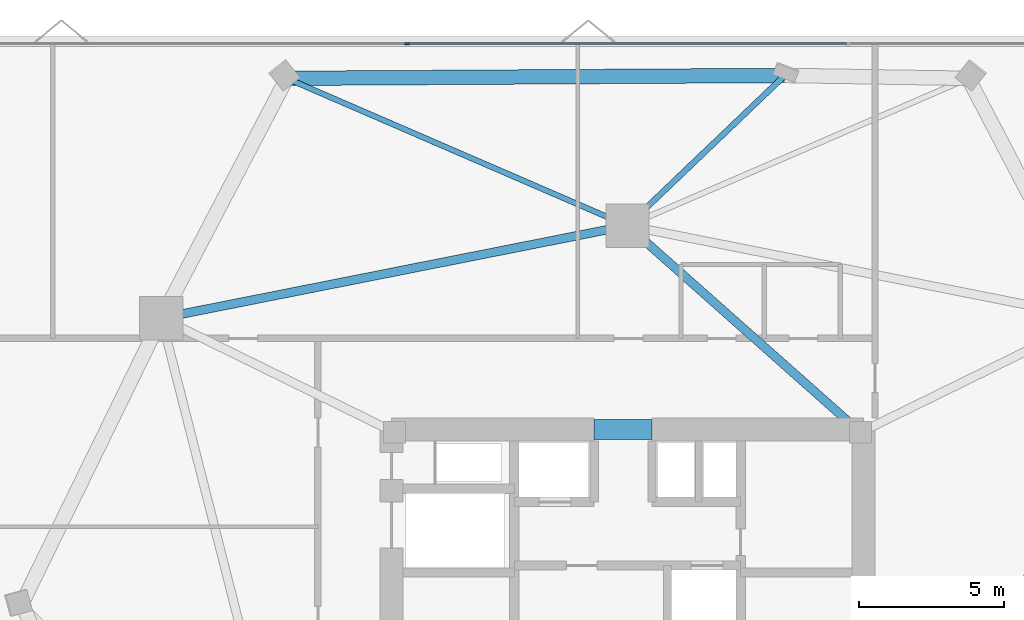
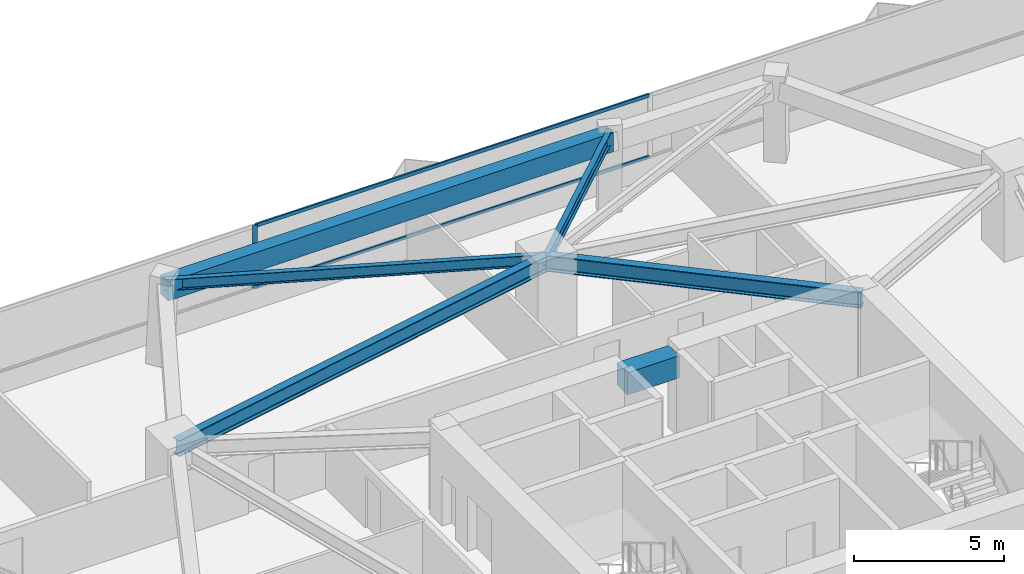
# One storey, part 5 of 11: 6 beams, 3 members, 1 element without a shape of its own.
"""IFC4 building model written with IfcOpenShell, lengths in metres."""

from ifc_helpers import new_model, si_unit, direction, frame, origin, origin_2d, place, context, subcontext, project, spatial, rectangle, i_section, extrude, material, layer, layer_set, material_profile, profile_set, type_object, element, aggregate, save


model = new_model("IFC4")

# Units and contexts
model_context = context("Model", 3, precision=1e-05, world=origin(), true_north=direction((0.0, 1.0)))
body_context = subcontext(model_context, "Body", "Model", "MODEL_VIEW")
ifc_project = project(units=[si_unit("LENGTHUNIT", "METRE"), si_unit("AREAUNIT", "SQUARE_METRE"), si_unit("VOLUMEUNIT", "CUBIC_METRE"), si_unit("PLANEANGLEUNIT", "RADIAN"), si_unit("MASSUNIT", "GRAM", prefix="KILO")], contexts=[model_context])

# Site, building, storey
site_placement = place(None, origin())
site = spatial("IfcSite", under=ifc_project, at=site_placement, CompositionType="ELEMENT")
building_placement = place(site_placement, origin())
building = spatial("IfcBuilding", under=site, at=building_placement, Name="Talyreon Biosciences Tower", CompositionType="ELEMENT")
storey_placement = place(building_placement, frame((0.0, 0.0, 160.050048828125)))
storey = spatial("IfcBuildingStorey", under=building, at=storey_placement, Name="L42", CompositionType="ELEMENT", Elevation=160.050048828125)

# Curtain wall, members
ifc_material_1 = material(Name="Thermally broken aluminium and low-E glazing", Category="aluminium")
ifc_layer = layer(ifc_material_1, 0.18505859375)
ifc_layer_set = layer_set([ifc_layer], Name="Thermally broken aluminium and low-E glazing")
curtain_wall_type = type_object("IfcCurtainWallType", Name="CurtainWall_Zone3Bioprocess", PredefinedType="NOTDEFINED", material=ifc_layer_set)
curtain_wall_placement = place(storey_placement, origin())
curtain_wall = element("IfcCurtainWall", 1, at=curtain_wall_placement, inside=storey, type_object=curtain_wall_type, Name="L42 Unitised Curtain Wall FCW-L42-04", PredefinedType="NOTDEFINED")
ifc_material_2 = material(Name="Anodised thermally broken aluminium", Category="aluminium")
ifc_material_profile_1 = material_profile(ifc_material_2, rectangle(XDim=0.06494140625, YDim=0.179931640625, at=origin_2d()), Name="ALUM MULLION 65x180")
ifc_profile_set_1 = profile_set([ifc_material_profile_1], Name="Anodised thermally broken aluminium")
member_type_1 = type_object("IfcMemberType", Name="CWMullion_65x180", PredefinedType="MULLION", material=ifc_profile_set_1)
member_1_placement = place(storey_placement, frame((58.39111328125, 88.072509765625, 0.81005859375), z_axis=(0.0, 0.0, 1.0), x_axis=(0.0, 1.0, 0.0)))
member_1 = element("IfcMember", 2, at=member_1_placement, type_object=member_type_1, Name="CW4 mullion 2", PredefinedType="MULLION", context=body_context, shape_type="SweptSolid", body=[
    extrude(rectangle(XDim=0.06494140625, YDim=0.179931640625, at=origin_2d()), origin(), (0.0, 0.0, 1.0), 2.56494140625),
])
ifc_material_profile_2 = material_profile(ifc_material_2, rectangle(XDim=0.06494140625, YDim=0.139892578125, at=origin_2d()), Name="ALUM TRANSOM 65x140")
ifc_profile_set_2 = profile_set([ifc_material_profile_2], Name="Anodised thermally broken aluminium")
member_type_2 = type_object("IfcMemberType", Name="CWTransom_65x140", PredefinedType="USERDEFINED", material=ifc_profile_set_2)
member_2_placement = place(storey_placement, frame((58.423583984375, 88.072509765625, 0.842529296875), z_axis=(1.0, 0.0, 0.0), x_axis=(0.0, 1.0, 0.0)))
member_2 = element("IfcMember", 3, at=member_2_placement, type_object=member_type_2, Name="CW4 transom 2.1", ObjectType="TRANSOM", PredefinedType="USERDEFINED", context=body_context, shape_type="SweptSolid", body=[
    extrude(rectangle(XDim=0.06494140625, YDim=0.139892578125, at=origin_2d()), origin(), (0.0, 0.0, 1.0), 15.15283203125),
])
member_3_placement = place(storey_placement, frame((58.423583984375, 88.072509765625, 3.342529296875), z_axis=(1.0, 0.0, 0.0), x_axis=(0.0, 1.0, 0.0)))
member_3 = element("IfcMember", 4, at=member_3_placement, type_object=member_type_2, Name="CW4 transom 2.2", ObjectType="TRANSOM", PredefinedType="USERDEFINED", context=body_context, shape_type="SweptSolid", body=[
    extrude(rectangle(XDim=0.06494140625, YDim=0.139892578125, at=origin_2d()), origin(), (0.0, 0.0, 1.0), 15.15283203125),
])
aggregate(curtain_wall, [member_1, member_2, member_3])

# Beams
ifc_material_3 = material(Name="Concrete C60/75", Category="concrete")
ifc_material_profile_3 = material_profile(ifc_material_3, rectangle(XDim=0.699951171875, YDim=0.89990234375, at=origin_2d()), Name="RCB 700x900")
ifc_profile_set_3 = profile_set([ifc_material_profile_3], Name="Concrete C60/75")
beam_type_1 = type_object("IfcBeamType", Name="CoreCouplingLintel_700x900", PredefinedType="LINTEL", material=ifc_profile_set_3)
beam_1_placement = place(storey_placement, frame((64.85009765625, 74.75, 2.925048828125), z_axis=(1.0, 0.0, 0.0), x_axis=(0.0, 1.0, 0.0)))
element("IfcBeam", 5, at=beam_1_placement, inside=storey, type_object=beam_type_1, Name="L42 Core Coupling Lintel", PredefinedType="LINTEL", context=body_context, shape_type="SweptSolid", body=[
    extrude(rectangle(XDim=0.699951171875, YDim=0.89990234375, at=origin_2d()), origin(), (0.0, 0.0, 1.0), 2.0),
])
ifc_material_4 = material(Name="Precast concrete C45/55", Category="concrete")
ifc_material_profile_4 = material_profile(ifc_material_4, rectangle(XDim=0.5, YDim=0.780029296875, at=origin_2d()), Name="RCB 500x780")
ifc_profile_set_4 = profile_set([ifc_material_profile_4], Name="Precast concrete C45/55")
beam_type_2 = type_object("IfcBeamType", Name="ExpressedSpandrel_500x780", PredefinedType="SPANDREL", material=ifc_profile_set_4)
beam_2_placement = place(storey_placement, frame((71.43310546875, 86.980224609375, 2.98486328125), z_axis=(-0.999983158822, -0.005803625723, 0.0), x_axis=(0.005803625723, -0.999983158822, 0.0)))
element("IfcBeam", 6, at=beam_2_placement, inside=storey, type_object=beam_type_2, Name="L42 Expressed Horizontal Concrete Spandrel 07", PredefinedType="SPANDREL", context=body_context, shape_type="SweptSolid", body=[
    extrude(rectangle(XDim=0.5, YDim=0.780029296875, at=origin_2d()), origin(), (0.0, 0.0, 1.0), 17.205322265625),
])
ifc_material_5 = material(Name="Steel SM355", Category="steel")
ifc_material_profile_5 = material_profile(ifc_material_5, i_section(OverallWidth=0.300048828125, OverallDepth=0.64990234375, WebThickness=0.01611328125, FlangeThickness=0.031005859375, FilletRadius=0.027099609375, at=origin_2d()), Name="HE650B")
ifc_profile_set_5 = profile_set([ifc_material_profile_5], Name="Steel SM355")
beam_type_3 = type_object("IfcBeamType", Name="SteelBeam_HE650B", PredefinedType="BEAM", material=ifc_profile_set_5)
beam_3_placement = place(storey_placement, frame((66.0, 81.788818359375, 3.050048828125), z_axis=(-0.980933730698, -0.194342522311, 0.0), x_axis=(0.194342522311, -0.980933730698, 0.0)))
element("IfcBeam", 7, at=beam_3_placement, inside=storey, type_object=beam_type_3, Name="L42 Mega-Ring Girder 4", PredefinedType="BEAM", context=body_context, shape_type="SweptSolid", body=[
    extrude(i_section(OverallWidth=0.300048828125, OverallDepth=0.64990234375, WebThickness=0.01611328125, FlangeThickness=0.031005859375, FilletRadius=0.027099609375, at=origin_2d()), origin(), (0.0, 0.0, 1.0), 16.415283203125),
])
beam_4_placement = place(storey_placement, frame((74.050048828125, 74.64990234375, 3.050048828125), z_axis=(-0.748178733955, 0.663497235908, 0.0), x_axis=(-0.663497235908, -0.748178733955, 0.0)))
element("IfcBeam", 8, at=beam_4_placement, inside=storey, type_object=beam_type_3, Name="L42 Radial Primary Girder 4", PredefinedType="BEAM", context=body_context, shape_type="SweptSolid", body=[
    extrude(i_section(OverallWidth=0.300048828125, OverallDepth=0.64990234375, WebThickness=0.01611328125, FlangeThickness=0.031005859375, FilletRadius=0.027099609375, at=origin_2d()), origin(), (0.0, 0.0, 1.0), 10.759521484375),
])
ifc_material_profile_6 = material_profile(ifc_material_5, i_section(OverallWidth=0.18994140625, OverallDepth=0.449951171875, WebThickness=0.009521484375, FlangeThickness=0.0146484375, FilletRadius=0.02099609375, at=origin_2d()), Name="IPE450")
ifc_profile_set_6 = profile_set([ifc_material_profile_6], Name="Steel SM355")
beam_type_4 = type_object("IfcBeamType", Name="SteelJoist_IPE450", PredefinedType="JOIST", material=ifc_profile_set_6)
beam_5_placement = place(storey_placement, frame((66.0, 81.788818359375, 3.14990234375), z_axis=(-0.917829482787, 0.396974861328, 0.0), x_axis=(-0.396974861328, -0.917829482787, 0.0)))
element("IfcBeam", 9, at=beam_5_placement, inside=storey, type_object=beam_type_4, Name="L42 Radial Composite Floor Joist PC-N2", PredefinedType="JOIST", context=body_context, shape_type="SweptSolid", body=[
    extrude(i_section(OverallWidth=0.18994140625, OverallDepth=0.449951171875, WebThickness=0.009521484375, FlangeThickness=0.0146484375, FilletRadius=0.02099609375, at=origin_2d()), origin(), (0.0, 0.0, 1.0), 12.825927734375),
])
ifc_material_profile_7 = material_profile(ifc_material_5, i_section(OverallWidth=0.199951171875, OverallDepth=0.5, WebThickness=0.01025390625, FlangeThickness=0.01611328125, FilletRadius=0.02099609375, at=origin_2d()), Name="IPE500")
ifc_profile_set_7 = profile_set([ifc_material_profile_7], Name="Steel SM355")
beam_type_5 = type_object("IfcBeamType", Name="SteelJoist_IPE500", PredefinedType="JOIST", material=ifc_profile_set_7)
beam_6_placement = place(storey_placement, frame((66.0, 81.788818359375, 3.125), z_axis=(0.723005836767, 0.690841921138, 0.0), x_axis=(-0.690841921138, 0.723005836767, 0.0)))
element("IfcBeam", 10, at=beam_6_placement, inside=storey, type_object=beam_type_5, Name="L42 Radial Composite Floor Joist PL-N", PredefinedType="JOIST", context=body_context, shape_type="SweptSolid", body=[
    extrude(i_section(OverallWidth=0.199951171875, OverallDepth=0.5, WebThickness=0.01025390625, FlangeThickness=0.01611328125, FilletRadius=0.02099609375, at=origin_2d()), origin(), (0.0, 0.0, 1.0), 7.5146484375),
])

save(model, "model.ifc")
